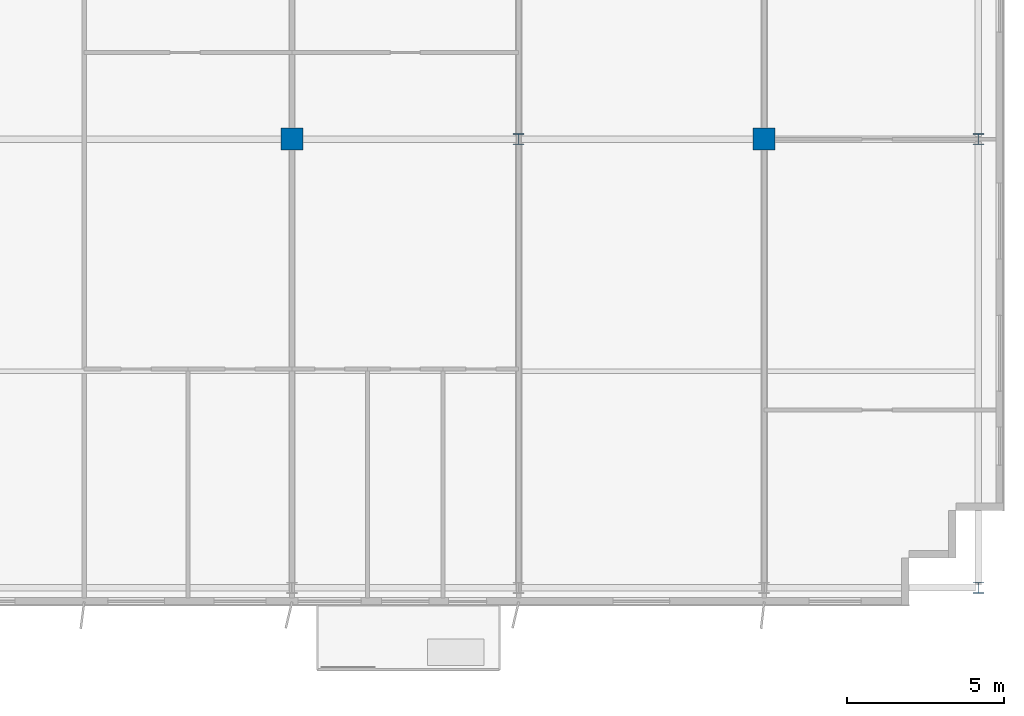
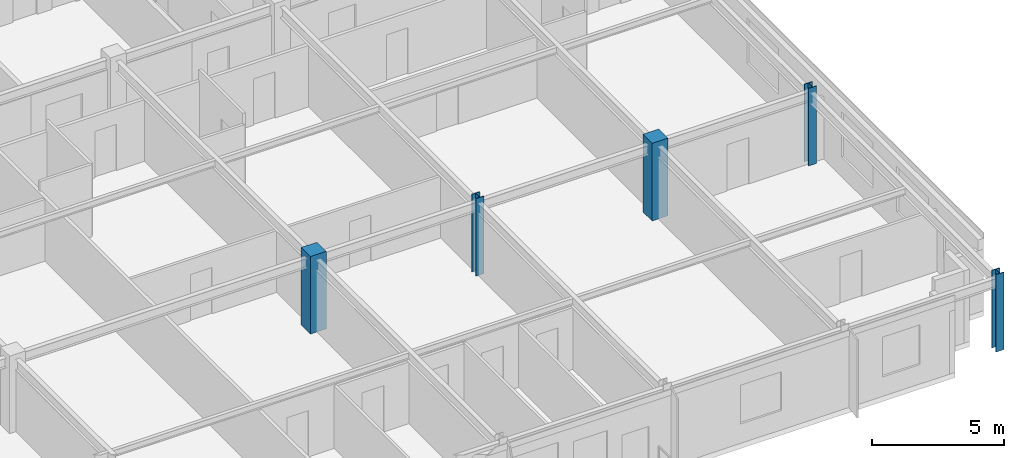
# One storey, part 2 of 23: 5 columns.
"""IFC4 building model written with IfcOpenShell, lengths in metres."""

from ifc_helpers import new_model, si_unit, direction, frame, origin, origin_2d, place, context, subcontext, project, spatial, rectangle, i_section, extrude, source, transform, mapped, material, material_profile, profile_set, type_object, element, save


model = new_model("IFC4")

# Units and contexts
model_context = context("Model", 3, precision=1e-05, world=origin(), true_north=direction((0.0, 1.0)))
body_context = subcontext(model_context, "Body", "Model", "MODEL_VIEW")
ifc_project = project(units=[si_unit("LENGTHUNIT", "METRE"), si_unit("AREAUNIT", "SQUARE_METRE"), si_unit("VOLUMEUNIT", "CUBIC_METRE"), si_unit("PLANEANGLEUNIT", "RADIAN"), si_unit("MASSUNIT", "GRAM", prefix="KILO")], contexts=[model_context])

# Site, building, storey
site_placement = place(None, origin())
site = spatial("IfcSite", under=ifc_project, at=site_placement, CompositionType="ELEMENT")
building_placement = place(site_placement, origin())
building = spatial("IfcBuilding", under=site, at=building_placement, Name="Trelvane Seafront Commons", CompositionType="ELEMENT")
storey_placement = place(building_placement, frame((0.0, 0.0, 226.5)))
storey = spatial("IfcBuildingStorey", under=building, at=storey_placement, Name="L59", CompositionType="ELEMENT", Elevation=226.5)

# Columns
ifc_material_1 = material(Name="Concrete C50/60", Category="concrete")
ifc_material_profile_1 = material_profile(ifc_material_1, rectangle(XDim=0.699951171875, YDim=0.699951171875, at=origin_2d()), Name="RC-700x700")
ifc_profile_set_1 = profile_set([ifc_material_profile_1], Name="Concrete C50/60")
column_type_1 = type_object("IfcColumnType", Name="STR-COL-RC700", PredefinedType="COLUMN", material=ifc_profile_set_1)
shared_shape_1 = source(origin(), body_context, "Body", "SweptSolid", [
    extrude(rectangle(XDim=0.699951171875, YDim=0.699951171875, at=origin_2d()), origin(), (0.0, 0.0, 1.0), 3.60009765625),
])
for number, where, z_axis, x_axis, name in (
    (1, (43.800048828125, 18.199951171875, 0.0), (0.0, 0.0, 1.0), (1.0, 0.0, 0.0), "L59 Column TC-M43.8"),
    (2, (58.800048828125, 18.199951171875, 0.0), (0.0, 0.0, 1.0), (1.0, 0.0, 0.0), "L59 Column TC-M58.8"),
):
    element("IfcColumn", number, at=place(storey_placement, frame(where, z_axis=z_axis, x_axis=x_axis)), inside=storey, type_object=column_type_1, Name=name, PredefinedType="COLUMN", context=body_context, shape_type="MappedRepresentation", body=[
        mapped(shared_shape_1, transform((0.0, 0.0, 0.0), x_axis=(1.0, 0.0, 0.0), y_axis=(0.0, 1.0, 0.0), z_axis=(0.0, 0.0, 1.0), scale=1.0)),
    ])
ifc_material_2 = material(Name="Steel SM355 (S355)", Category="steel")
ifc_material_profile_2 = material_profile(ifc_material_2, i_section(OverallWidth=0.35009765625, OverallDepth=0.35009765625, WebThickness=0.01806640625, FlangeThickness=0.028076171875, at=origin_2d()), Name="HD-350x350x18x28")
ifc_profile_set_2 = profile_set([ifc_material_profile_2], Name="Steel SM355 (S355)")
column_type_2 = type_object("IfcColumnType", Name="STR-COL-HD350", PredefinedType="COLUMN", material=ifc_profile_set_2)
shared_shape_2 = source(origin(), body_context, "Body", "SweptSolid", [
    extrude(i_section(OverallWidth=0.35009765625, OverallDepth=0.35009765625, WebThickness=0.01806640625, FlangeThickness=0.028076171875, at=origin_2d()), origin(), (0.0, 0.0, 1.0), 3.60009765625),
])
for number, where, z_axis, x_axis, name in (
    (3, (51.0, 18.199951171875, 0.0), (0.0, 0.0, 1.0), (1.0, 0.0, 0.0), "L59 Column TC-M51.0"),
    (4, (65.60009765625, 3.949951171875, 0.0), (0.0, 0.0, 1.0), (1.0, 0.0, 0.0), "L59 Column TC-S65.6"),
    (5, (65.60009765625, 18.199951171875, 0.0), (0.0, 0.0, 1.0), (1.0, 0.0, 0.0), "L59 Column TC-M65.6"),
):
    element("IfcColumn", number, at=place(storey_placement, frame(where, z_axis=z_axis, x_axis=x_axis)), inside=storey, type_object=column_type_2, Name=name, PredefinedType="COLUMN", context=body_context, shape_type="MappedRepresentation", body=[
        mapped(shared_shape_2, transform((0.0, 0.0, 0.0), x_axis=(1.0, 0.0, 0.0), y_axis=(0.0, 1.0, 0.0), z_axis=(0.0, 0.0, 1.0), scale=1.0)),
    ])

save(model, "model.ifc")
